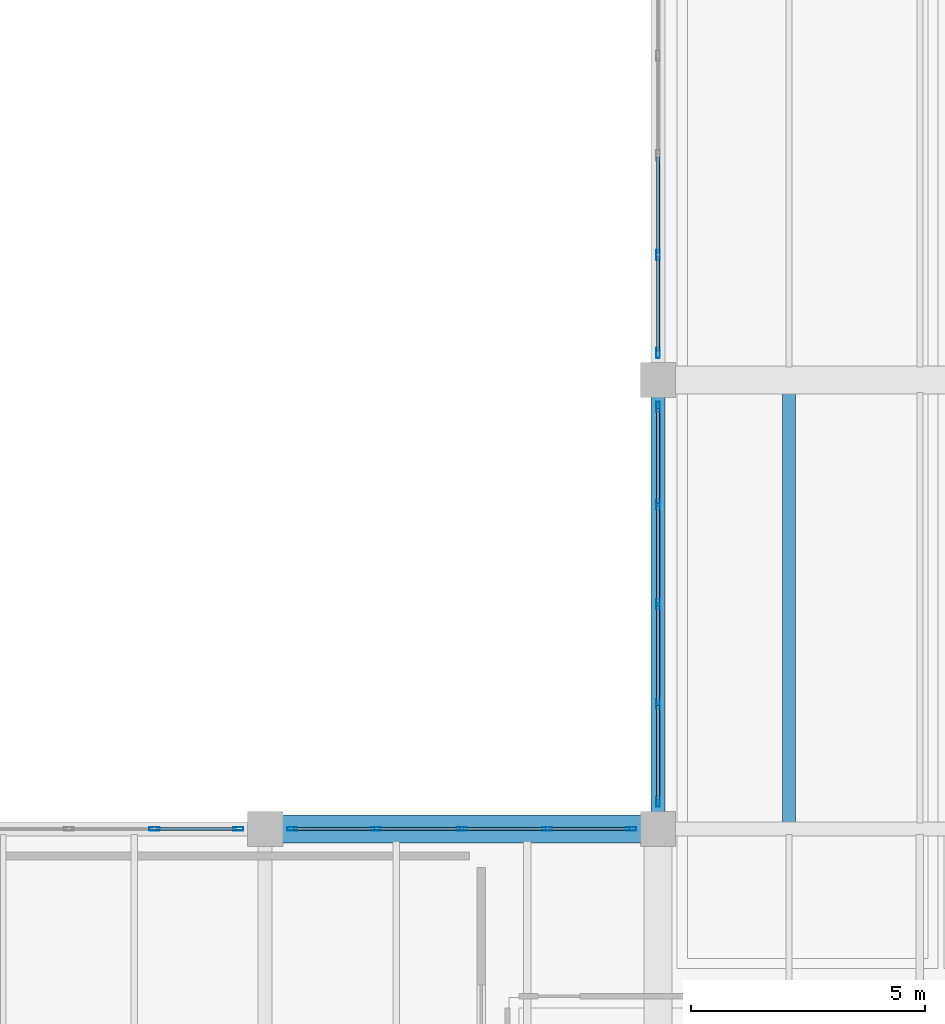
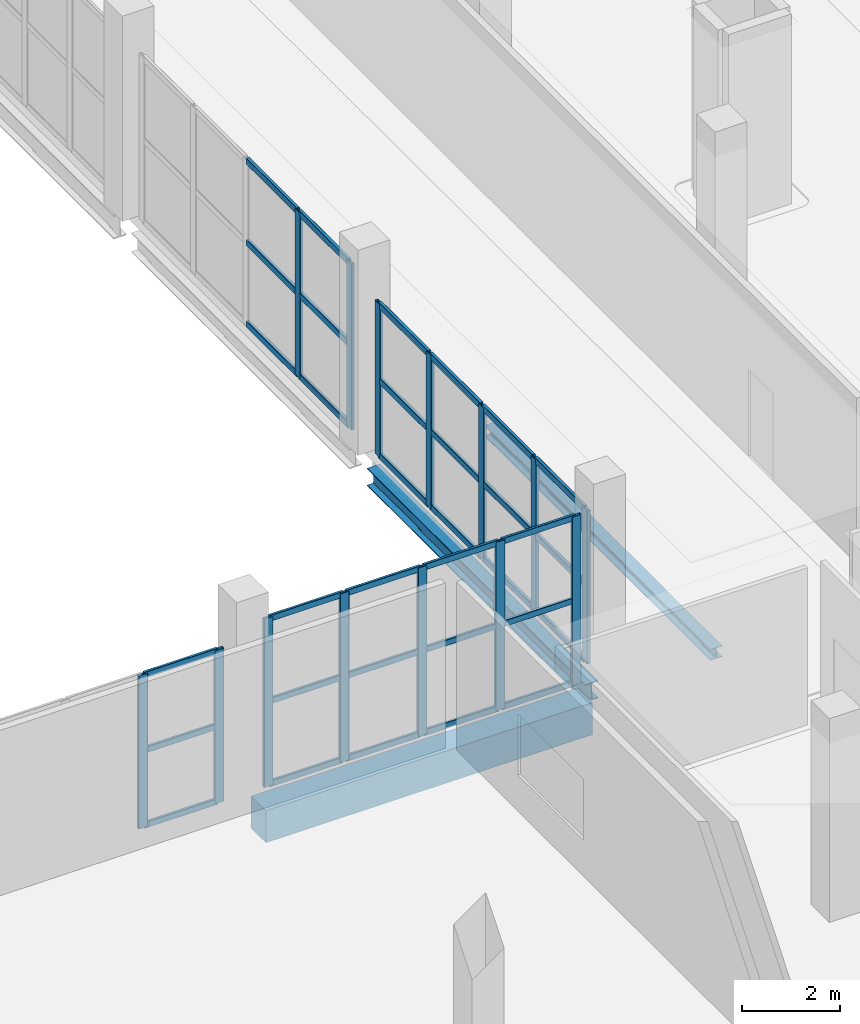
# One storey, part 40 of 77: 47 members, 3 beams, 4 elements without a shape of their own.
"""IFC4 building model written with IfcOpenShell, lengths in metres."""

from ifc_helpers import new_model, si_unit, direction, frame, origin, origin_2d, place, context, subcontext, project, spatial, rectangle, hollow_rectangle, i_section, extrude, material, layer, layer_set, material_profile, profile_set, type_object, element, aggregate, save


model = new_model("IFC4")

# Units and contexts
model_context = context("Model", 3, precision=1e-05, world=origin(), true_north=direction((0.0, 1.0)))
body_context = subcontext(model_context, "Body", "Model", "MODEL_VIEW")
ifc_project = project(units=[si_unit("LENGTHUNIT", "METRE"), si_unit("AREAUNIT", "SQUARE_METRE"), si_unit("VOLUMEUNIT", "CUBIC_METRE"), si_unit("PLANEANGLEUNIT", "RADIAN"), si_unit("MASSUNIT", "GRAM", prefix="KILO")], contexts=[model_context])

# Site, building, storey
site_placement = place(None, origin())
site = spatial("IfcSite", under=ifc_project, at=site_placement, CompositionType="ELEMENT")
building_placement = place(site_placement, origin())
building = spatial("IfcBuilding", under=site, at=building_placement, Name="Zulmaris Art Gallery", CompositionType="ELEMENT")
storey_placement = place(building_placement, frame((0.0, 0.0, 15.60009765625)))
storey = spatial("IfcBuildingStorey", under=building, at=storey_placement, Name="L03", CompositionType="ELEMENT", Elevation=15.60009765625)

# Beams
ifc_material_1 = material(Name="Steel S355J2", Category="steel")
ifc_material_profile_1 = material_profile(ifc_material_1, i_section(OverallWidth=0.300048828125, OverallDepth=0.43994140625, WebThickness=0.011474609375, FlangeThickness=0.02099609375, FilletRadius=0.027099609375, at=origin_2d()), Name="HEA 450")
ifc_profile_set_1 = profile_set([ifc_material_profile_1], Name="Steel S355J2")
beam_type_1 = type_object("IfcBeamType", Name="BEAM-BM10", PredefinedType="BEAM", material=ifc_profile_set_1)
beam_1_placement = place(storey_placement, frame((183.60009765625, 31.56005859375, -0.6201171875), z_axis=(0.0, 1.0, 0.0), x_axis=(-1.0, 0.0, 0.0)))
element("IfcBeam", 1, at=beam_1_placement, inside=storey, type_object=beam_type_1, Name="L03 Y-girder (x=183.6, 31.2..40.8)", PredefinedType="BEAM", context=body_context, shape_type="SweptSolid", body=[
    extrude(i_section(OverallWidth=0.300048828125, OverallDepth=0.43994140625, WebThickness=0.011474609375, FlangeThickness=0.02099609375, FilletRadius=0.027099609375, at=origin_2d()), origin(), (0.0, 0.0, 1.0), 8.8798828125),
])
ifc_material_2 = material(Name="Concrete C40/50", Category="concrete")
ifc_material_profile_2 = material_profile(ifc_material_2, rectangle(XDim=0.60009765625, YDim=0.800048828125, at=origin_2d()), Name="RC 600x800")
ifc_profile_set_2 = profile_set([ifc_material_profile_2], Name="Concrete C40/50")
beam_type_2 = type_object("IfcBeamType", Name="BEAM-BM27", PredefinedType="BEAM", material=ifc_profile_set_2)
beam_2_placement = place(storey_placement, frame((175.56005859375, 31.199951171875, -0.77001953125), z_axis=(1.0, 0.0, 0.0), x_axis=(0.0, 1.0, 0.0)))
element("IfcBeam", 2, at=beam_2_placement, inside=storey, type_object=beam_type_2, Name="L03 X-girder (175.2..183.6, y=31.2)", PredefinedType="BEAM", context=body_context, shape_type="SweptSolid", body=[
    extrude(rectangle(XDim=0.60009765625, YDim=0.800048828125, at=origin_2d()), origin(), (0.0, 0.0, 1.0), 7.679931640625),
])
ifc_material_profile_3 = material_profile(ifc_material_1, i_section(OverallWidth=0.280029296875, OverallDepth=0.27001953125, WebThickness=0.008056640625, FlangeThickness=0.012939453125, FilletRadius=0.02392578125, at=origin_2d()), Name="HEA 280")
ifc_profile_set_3 = profile_set([ifc_material_profile_3], Name="Steel S355J2")
beam_type_3 = type_object("IfcBeamType", Name="BEAM-JS04", PredefinedType="JOIST", material=ifc_profile_set_3)
beam_3_placement = place(storey_placement, frame((186.39990234375, 31.324951171875, -0.505126953125), z_axis=(0.0, 1.0, 0.0), x_axis=(-1.0, 0.0, 0.0)))
element("IfcBeam", 3, at=beam_3_placement, inside=storey, type_object=beam_type_3, Name="L03 secondary joist at x=186.4", PredefinedType="JOIST", context=body_context, shape_type="SweptSolid", body=[
    extrude(i_section(OverallWidth=0.280029296875, OverallDepth=0.27001953125, WebThickness=0.008056640625, FlangeThickness=0.012939453125, FilletRadius=0.02392578125, at=origin_2d()), origin(), (0.0, 0.0, 1.0), 9.199951171875),
])

# Curtain wall, members
ifc_material_3 = material(Name="Courtyard Artists Studio Curtain Wall", Category="aluminium")
ifc_layer = layer(ifc_material_3, 0.179931640625)
ifc_layer_set = layer_set([ifc_layer], Name="Courtyard Artists Studio Curtain Wall")
curtain_wall_type = type_object("IfcCurtainWallType", Name="CW-CW04", PredefinedType="NOTDEFINED", material=ifc_layer_set)
curtain_wall_1_placement = place(storey_placement, origin())
curtain_wall_1 = element("IfcCurtainWall", 4, at=curtain_wall_1_placement, inside=storey, type_object=curtain_wall_type, Name="L03 curtain wall 148", PredefinedType="NOTDEFINED")
ifc_material_4 = material(Name="Anodised Bronze Aluminium", Category="aluminium")
ifc_material_profile_4 = material_profile(ifc_material_4, hollow_rectangle(XDim=0.074951171875, YDim=0.219970703125, WallThickness=0.0048828125, InnerFilletRadius=0.007568359375, OuterFilletRadius=0.012451171875, at=origin_2d()), Name="ALU 75x220x5")
ifc_profile_set_4 = profile_set([ifc_material_profile_4], Name="Anodised Bronze Aluminium")
member_type_1 = type_object("IfcMemberType", Name="CWMUL-02", PredefinedType="MULLION", material=ifc_profile_set_4)
member_1_placement = place(storey_placement, frame((183.60009765625, 40.222412109375, 0.0), z_axis=(0.0, 0.0, 1.0), x_axis=(1.0, 0.0, 0.0)))
member_1 = element("IfcMember", 5, at=member_1_placement, type_object=member_type_1, Name="CW04 mullion 1", PredefinedType="MULLION", context=body_context, shape_type="SweptSolid", body=[
    extrude(hollow_rectangle(XDim=0.074951171875, YDim=0.219970703125, WallThickness=0.0048828125, InnerFilletRadius=0.007568359375, OuterFilletRadius=0.012451171875, at=origin_2d()), origin(), (0.0, 0.0, 1.0), 3.809814453125),
])
member_2_placement = place(storey_placement, frame((183.60009765625, 38.1298828125, 0.0), z_axis=(0.0, 0.0, 1.0), x_axis=(1.0, 0.0, 0.0)))
member_2 = element("IfcMember", 6, at=member_2_placement, type_object=member_type_1, Name="CW04 mullion 2", PredefinedType="MULLION", context=body_context, shape_type="SweptSolid", body=[
    extrude(hollow_rectangle(XDim=0.074951171875, YDim=0.219970703125, WallThickness=0.0048828125, InnerFilletRadius=0.007568359375, OuterFilletRadius=0.012451171875, at=origin_2d()), origin(), (0.0, 0.0, 1.0), 3.809814453125),
])
member_3_placement = place(storey_placement, frame((183.60009765625, 36.0, 0.0), z_axis=(0.0, 0.0, 1.0), x_axis=(1.0, 0.0, 0.0)))
member_3 = element("IfcMember", 7, at=member_3_placement, type_object=member_type_1, Name="CW04 mullion 3", PredefinedType="MULLION", context=body_context, shape_type="SweptSolid", body=[
    extrude(hollow_rectangle(XDim=0.074951171875, YDim=0.219970703125, WallThickness=0.0048828125, InnerFilletRadius=0.007568359375, OuterFilletRadius=0.012451171875, at=origin_2d()), origin(), (0.0, 0.0, 1.0), 3.809814453125),
])
member_4_placement = place(storey_placement, frame((183.60009765625, 33.8701171875, 0.0), z_axis=(0.0, 0.0, 1.0), x_axis=(1.0, 0.0, 0.0)))
member_4 = element("IfcMember", 8, at=member_4_placement, type_object=member_type_1, Name="CW04 mullion 4", PredefinedType="MULLION", context=body_context, shape_type="SweptSolid", body=[
    extrude(hollow_rectangle(XDim=0.074951171875, YDim=0.219970703125, WallThickness=0.0048828125, InnerFilletRadius=0.007568359375, OuterFilletRadius=0.012451171875, at=origin_2d()), origin(), (0.0, 0.0, 1.0), 3.809814453125),
])
member_5_placement = place(storey_placement, frame((183.60009765625, 31.777587890625, 0.0), z_axis=(0.0, 0.0, 1.0), x_axis=(1.0, 0.0, 0.0)))
member_5 = element("IfcMember", 9, at=member_5_placement, type_object=member_type_1, Name="CW04 mullion 5", PredefinedType="MULLION", context=body_context, shape_type="SweptSolid", body=[
    extrude(hollow_rectangle(XDim=0.074951171875, YDim=0.219970703125, WallThickness=0.0048828125, InnerFilletRadius=0.007568359375, OuterFilletRadius=0.012451171875, at=origin_2d()), origin(), (0.0, 0.0, 1.0), 3.809814453125),
])

curtain_wall_2_placement = place(storey_placement, origin())
curtain_wall_2 = element("IfcCurtainWall", 10, at=curtain_wall_2_placement, inside=storey, type_object=curtain_wall_type, Name="L03 curtain wall 150", PredefinedType="NOTDEFINED")
member_6_placement = place(storey_placement, frame((183.60009765625, 43.469970703125, 0.0), z_axis=(0.0, 0.0, 1.0), x_axis=(1.0, 0.0, 0.0)))
member_6 = element("IfcMember", 11, at=member_6_placement, type_object=member_type_1, Name="CW04 mullion 4", PredefinedType="MULLION", context=body_context, shape_type="SweptSolid", body=[
    extrude(hollow_rectangle(XDim=0.074951171875, YDim=0.219970703125, WallThickness=0.0048828125, InnerFilletRadius=0.007568359375, OuterFilletRadius=0.012451171875, at=origin_2d()), origin(), (0.0, 0.0, 1.0), 4.119873046875),
])
member_7_placement = place(storey_placement, frame((183.60009765625, 41.37744140625, 0.0), z_axis=(0.0, 0.0, 1.0), x_axis=(1.0, 0.0, 0.0)))
member_7 = element("IfcMember", 12, at=member_7_placement, type_object=member_type_1, Name="CW04 mullion 5", PredefinedType="MULLION", context=body_context, shape_type="SweptSolid", body=[
    extrude(hollow_rectangle(XDim=0.074951171875, YDim=0.219970703125, WallThickness=0.0048828125, InnerFilletRadius=0.007568359375, OuterFilletRadius=0.012451171875, at=origin_2d()), origin(), (0.0, 0.0, 1.0), 4.119873046875),
])

curtain_wall_3_placement = place(storey_placement, origin())
curtain_wall_3 = element("IfcCurtainWall", 13, at=curtain_wall_3_placement, inside=storey, type_object=curtain_wall_type, Name="L03 curtain wall 156", PredefinedType="NOTDEFINED")
member_8_placement = place(storey_placement, frame((172.830078125, 31.199951171875, 0.0), z_axis=(0.0, 0.0, 1.0), x_axis=(0.0, 1.0, 0.0)))
member_8 = element("IfcMember", 14, at=member_8_placement, type_object=member_type_1, Name="CW04 mullion 4", PredefinedType="MULLION", context=body_context, shape_type="SweptSolid", body=[
    extrude(hollow_rectangle(XDim=0.074951171875, YDim=0.219970703125, WallThickness=0.0048828125, InnerFilletRadius=0.007568359375, OuterFilletRadius=0.012451171875, at=origin_2d()), origin(), (0.0, 0.0, 1.0), 3.809814453125),
])
member_9_placement = place(storey_placement, frame((174.62255859375, 31.199951171875, 0.0), z_axis=(0.0, 0.0, 1.0), x_axis=(0.0, 1.0, 0.0)))
member_9 = element("IfcMember", 15, at=member_9_placement, type_object=member_type_1, Name="CW04 mullion 5", PredefinedType="MULLION", context=body_context, shape_type="SweptSolid", body=[
    extrude(hollow_rectangle(XDim=0.074951171875, YDim=0.219970703125, WallThickness=0.0048828125, InnerFilletRadius=0.007568359375, OuterFilletRadius=0.012451171875, at=origin_2d()), origin(), (0.0, 0.0, 1.0), 3.809814453125),
])

curtain_wall_4_placement = place(storey_placement, origin())
curtain_wall_4 = element("IfcCurtainWall", 16, at=curtain_wall_4_placement, inside=storey, type_object=curtain_wall_type, Name="L03 curtain wall 158", PredefinedType="NOTDEFINED")
member_10_placement = place(storey_placement, frame((175.777587890625, 31.199951171875, 0.0), z_axis=(0.0, 0.0, 1.0), x_axis=(0.0, 1.0, 0.0)))
member_10 = element("IfcMember", 17, at=member_10_placement, type_object=member_type_1, Name="CW04 mullion 1", PredefinedType="MULLION", context=body_context, shape_type="SweptSolid", body=[
    extrude(hollow_rectangle(XDim=0.074951171875, YDim=0.219970703125, WallThickness=0.0048828125, InnerFilletRadius=0.007568359375, OuterFilletRadius=0.012451171875, at=origin_2d()), origin(), (0.0, 0.0, 1.0), 4.18994140625),
])
member_11_placement = place(storey_placement, frame((177.570068359375, 31.199951171875, 0.0), z_axis=(0.0, 0.0, 1.0), x_axis=(0.0, 1.0, 0.0)))
member_11 = element("IfcMember", 18, at=member_11_placement, type_object=member_type_1, Name="CW04 mullion 2", PredefinedType="MULLION", context=body_context, shape_type="SweptSolid", body=[
    extrude(hollow_rectangle(XDim=0.074951171875, YDim=0.219970703125, WallThickness=0.0048828125, InnerFilletRadius=0.007568359375, OuterFilletRadius=0.012451171875, at=origin_2d()), origin(), (0.0, 0.0, 1.0), 4.18994140625),
])
member_12_placement = place(storey_placement, frame((179.39990234375, 31.199951171875, 0.0), z_axis=(0.0, 0.0, 1.0), x_axis=(0.0, 1.0, 0.0)))
member_12 = element("IfcMember", 19, at=member_12_placement, type_object=member_type_1, Name="CW04 mullion 3", PredefinedType="MULLION", context=body_context, shape_type="SweptSolid", body=[
    extrude(hollow_rectangle(XDim=0.074951171875, YDim=0.219970703125, WallThickness=0.0048828125, InnerFilletRadius=0.007568359375, OuterFilletRadius=0.012451171875, at=origin_2d()), origin(), (0.0, 0.0, 1.0), 4.18994140625),
])
member_13_placement = place(storey_placement, frame((181.22998046875, 31.199951171875, 0.0), z_axis=(0.0, 0.0, 1.0), x_axis=(0.0, 1.0, 0.0)))
member_13 = element("IfcMember", 20, at=member_13_placement, type_object=member_type_1, Name="CW04 mullion 4", PredefinedType="MULLION", context=body_context, shape_type="SweptSolid", body=[
    extrude(hollow_rectangle(XDim=0.074951171875, YDim=0.219970703125, WallThickness=0.0048828125, InnerFilletRadius=0.007568359375, OuterFilletRadius=0.012451171875, at=origin_2d()), origin(), (0.0, 0.0, 1.0), 4.18994140625),
])
member_14_placement = place(storey_placement, frame((183.0224609375, 31.199951171875, 0.0), z_axis=(0.0, 0.0, 1.0), x_axis=(0.0, 1.0, 0.0)))
member_14 = element("IfcMember", 21, at=member_14_placement, type_object=member_type_1, Name="CW04 mullion 5", PredefinedType="MULLION", context=body_context, shape_type="SweptSolid", body=[
    extrude(hollow_rectangle(XDim=0.074951171875, YDim=0.219970703125, WallThickness=0.0048828125, InnerFilletRadius=0.007568359375, OuterFilletRadius=0.012451171875, at=origin_2d()), origin(), (0.0, 0.0, 1.0), 4.18994140625),
])

# Member
ifc_material_profile_5 = material_profile(ifc_material_4, hollow_rectangle(XDim=0.06494140625, YDim=0.14990234375, WallThickness=0.00390625, InnerFilletRadius=0.006103515625, OuterFilletRadius=0.010009765625, at=origin_2d()), Name="ALU 65x150x4")
ifc_profile_set_5 = profile_set([ifc_material_profile_5], Name="Anodised Bronze Aluminium")
member_type_2 = type_object("IfcMemberType", Name="CWTRN-01", PredefinedType="USERDEFINED", material=ifc_profile_set_5)
member_15_placement = place(storey_placement, frame((172.867431640625, 31.199951171875, 0.037353515625), z_axis=(1.0, 0.0, 0.0), x_axis=(0.0, 1.0, 0.0)))
member_15 = element("IfcMember", 22, at=member_15_placement, type_object=member_type_2, Name="CW04 transom 4.1", ObjectType="TRANSOM", PredefinedType="USERDEFINED", context=body_context, shape_type="SweptSolid", body=[
    extrude(hollow_rectangle(XDim=0.06494140625, YDim=0.14990234375, WallThickness=0.00390625, InnerFilletRadius=0.006103515625, OuterFilletRadius=0.010009765625, at=origin_2d()), origin(), (0.0, 0.0, 1.0), 1.717529296875),
])

member_16_placement = place(storey_placement, frame((172.867431640625, 31.199951171875, 1.90478515625), z_axis=(1.0, 0.0, 0.0), x_axis=(0.0, 1.0, 0.0)))
member_16 = element("IfcMember", 23, at=member_16_placement, type_object=member_type_2, Name="CW04 transom 4.2", ObjectType="TRANSOM", PredefinedType="USERDEFINED", context=body_context, shape_type="SweptSolid", body=[
    extrude(hollow_rectangle(XDim=0.06494140625, YDim=0.14990234375, WallThickness=0.00390625, InnerFilletRadius=0.006103515625, OuterFilletRadius=0.010009765625, at=origin_2d()), origin(), (0.0, 0.0, 1.0), 1.717529296875),
])

member_17_placement = place(storey_placement, frame((172.867431640625, 31.199951171875, 3.7724609375), z_axis=(1.0, 0.0, 0.0), x_axis=(0.0, 1.0, 0.0)))
member_17 = element("IfcMember", 24, at=member_17_placement, type_object=member_type_2, Name="CW04 transom 4.3", ObjectType="TRANSOM", PredefinedType="USERDEFINED", context=body_context, shape_type="SweptSolid", body=[
    extrude(hollow_rectangle(XDim=0.06494140625, YDim=0.14990234375, WallThickness=0.00390625, InnerFilletRadius=0.006103515625, OuterFilletRadius=0.010009765625, at=origin_2d()), origin(), (0.0, 0.0, 1.0), 1.717529296875),
])

aggregate(curtain_wall_3, [member_8, member_9, member_15, member_16, member_17])

member_18_placement = place(storey_placement, frame((175.81494140625, 31.199951171875, 0.037353515625), z_axis=(1.0, 0.0, 0.0), x_axis=(0.0, 1.0, 0.0)))
member_18 = element("IfcMember", 25, at=member_18_placement, type_object=member_type_2, Name="CW04 transom 1.1", ObjectType="TRANSOM", PredefinedType="USERDEFINED", context=body_context, shape_type="SweptSolid", body=[
    extrude(hollow_rectangle(XDim=0.06494140625, YDim=0.14990234375, WallThickness=0.00390625, InnerFilletRadius=0.006103515625, OuterFilletRadius=0.010009765625, at=origin_2d()), origin(), (0.0, 0.0, 1.0), 1.717529296875),
])

member_19_placement = place(storey_placement, frame((175.81494140625, 31.199951171875, 2.094970703125), z_axis=(1.0, 0.0, 0.0), x_axis=(0.0, 1.0, 0.0)))
member_19 = element("IfcMember", 26, at=member_19_placement, type_object=member_type_2, Name="CW04 transom 1.2", ObjectType="TRANSOM", PredefinedType="USERDEFINED", context=body_context, shape_type="SweptSolid", body=[
    extrude(hollow_rectangle(XDim=0.06494140625, YDim=0.14990234375, WallThickness=0.00390625, InnerFilletRadius=0.006103515625, OuterFilletRadius=0.010009765625, at=origin_2d()), origin(), (0.0, 0.0, 1.0), 1.717529296875),
])

member_20_placement = place(storey_placement, frame((175.81494140625, 31.199951171875, 4.15234375), z_axis=(1.0, 0.0, 0.0), x_axis=(0.0, 1.0, 0.0)))
member_20 = element("IfcMember", 27, at=member_20_placement, type_object=member_type_2, Name="CW04 transom 1.3", ObjectType="TRANSOM", PredefinedType="USERDEFINED", context=body_context, shape_type="SweptSolid", body=[
    extrude(hollow_rectangle(XDim=0.06494140625, YDim=0.14990234375, WallThickness=0.00390625, InnerFilletRadius=0.006103515625, OuterFilletRadius=0.010009765625, at=origin_2d()), origin(), (0.0, 0.0, 1.0), 1.717529296875),
])

member_21_placement = place(storey_placement, frame((177.607421875, 31.199951171875, 0.037353515625), z_axis=(1.0, 0.0, 0.0), x_axis=(0.0, 1.0, 0.0)))
member_21 = element("IfcMember", 28, at=member_21_placement, type_object=member_type_2, Name="CW04 transom 2.1", ObjectType="TRANSOM", PredefinedType="USERDEFINED", context=body_context, shape_type="SweptSolid", body=[
    extrude(hollow_rectangle(XDim=0.06494140625, YDim=0.14990234375, WallThickness=0.00390625, InnerFilletRadius=0.006103515625, OuterFilletRadius=0.010009765625, at=origin_2d()), origin(), (0.0, 0.0, 1.0), 1.755126953125),
])

member_22_placement = place(storey_placement, frame((177.607421875, 31.199951171875, 2.094970703125), z_axis=(1.0, 0.0, 0.0), x_axis=(0.0, 1.0, 0.0)))
member_22 = element("IfcMember", 29, at=member_22_placement, type_object=member_type_2, Name="CW04 transom 2.2", ObjectType="TRANSOM", PredefinedType="USERDEFINED", context=body_context, shape_type="SweptSolid", body=[
    extrude(hollow_rectangle(XDim=0.06494140625, YDim=0.14990234375, WallThickness=0.00390625, InnerFilletRadius=0.006103515625, OuterFilletRadius=0.010009765625, at=origin_2d()), origin(), (0.0, 0.0, 1.0), 1.755126953125),
])

member_23_placement = place(storey_placement, frame((177.607421875, 31.199951171875, 4.15234375), z_axis=(1.0, 0.0, 0.0), x_axis=(0.0, 1.0, 0.0)))
member_23 = element("IfcMember", 30, at=member_23_placement, type_object=member_type_2, Name="CW04 transom 2.3", ObjectType="TRANSOM", PredefinedType="USERDEFINED", context=body_context, shape_type="SweptSolid", body=[
    extrude(hollow_rectangle(XDim=0.06494140625, YDim=0.14990234375, WallThickness=0.00390625, InnerFilletRadius=0.006103515625, OuterFilletRadius=0.010009765625, at=origin_2d()), origin(), (0.0, 0.0, 1.0), 1.755126953125),
])

member_24_placement = place(storey_placement, frame((179.4375, 31.199951171875, 0.037353515625), z_axis=(1.0, 0.0, 0.0), x_axis=(0.0, 1.0, 0.0)))
member_24 = element("IfcMember", 31, at=member_24_placement, type_object=member_type_2, Name="CW04 transom 3.1", ObjectType="TRANSOM", PredefinedType="USERDEFINED", context=body_context, shape_type="SweptSolid", body=[
    extrude(hollow_rectangle(XDim=0.06494140625, YDim=0.14990234375, WallThickness=0.00390625, InnerFilletRadius=0.006103515625, OuterFilletRadius=0.010009765625, at=origin_2d()), origin(), (0.0, 0.0, 1.0), 1.7548828125),
])

member_25_placement = place(storey_placement, frame((179.4375, 31.199951171875, 2.094970703125), z_axis=(1.0, 0.0, 0.0), x_axis=(0.0, 1.0, 0.0)))
member_25 = element("IfcMember", 32, at=member_25_placement, type_object=member_type_2, Name="CW04 transom 3.2", ObjectType="TRANSOM", PredefinedType="USERDEFINED", context=body_context, shape_type="SweptSolid", body=[
    extrude(hollow_rectangle(XDim=0.06494140625, YDim=0.14990234375, WallThickness=0.00390625, InnerFilletRadius=0.006103515625, OuterFilletRadius=0.010009765625, at=origin_2d()), origin(), (0.0, 0.0, 1.0), 1.7548828125),
])

member_26_placement = place(storey_placement, frame((179.4375, 31.199951171875, 4.15234375), z_axis=(1.0, 0.0, 0.0), x_axis=(0.0, 1.0, 0.0)))
member_26 = element("IfcMember", 33, at=member_26_placement, type_object=member_type_2, Name="CW04 transom 3.3", ObjectType="TRANSOM", PredefinedType="USERDEFINED", context=body_context, shape_type="SweptSolid", body=[
    extrude(hollow_rectangle(XDim=0.06494140625, YDim=0.14990234375, WallThickness=0.00390625, InnerFilletRadius=0.006103515625, OuterFilletRadius=0.010009765625, at=origin_2d()), origin(), (0.0, 0.0, 1.0), 1.7548828125),
])

member_27_placement = place(storey_placement, frame((181.267578125, 31.199951171875, 0.037353515625), z_axis=(1.0, 0.0, 0.0), x_axis=(0.0, 1.0, 0.0)))
member_27 = element("IfcMember", 34, at=member_27_placement, type_object=member_type_2, Name="CW04 transom 4.1", ObjectType="TRANSOM", PredefinedType="USERDEFINED", context=body_context, shape_type="SweptSolid", body=[
    extrude(hollow_rectangle(XDim=0.06494140625, YDim=0.14990234375, WallThickness=0.00390625, InnerFilletRadius=0.006103515625, OuterFilletRadius=0.010009765625, at=origin_2d()), origin(), (0.0, 0.0, 1.0), 1.717529296875),
])

member_28_placement = place(storey_placement, frame((181.267578125, 31.199951171875, 2.094970703125), z_axis=(1.0, 0.0, 0.0), x_axis=(0.0, 1.0, 0.0)))
member_28 = element("IfcMember", 35, at=member_28_placement, type_object=member_type_2, Name="CW04 transom 4.2", ObjectType="TRANSOM", PredefinedType="USERDEFINED", context=body_context, shape_type="SweptSolid", body=[
    extrude(hollow_rectangle(XDim=0.06494140625, YDim=0.14990234375, WallThickness=0.00390625, InnerFilletRadius=0.006103515625, OuterFilletRadius=0.010009765625, at=origin_2d()), origin(), (0.0, 0.0, 1.0), 1.717529296875),
])

member_29_placement = place(storey_placement, frame((181.267578125, 31.199951171875, 4.15234375), z_axis=(1.0, 0.0, 0.0), x_axis=(0.0, 1.0, 0.0)))
member_29 = element("IfcMember", 36, at=member_29_placement, type_object=member_type_2, Name="CW04 transom 4.3", ObjectType="TRANSOM", PredefinedType="USERDEFINED", context=body_context, shape_type="SweptSolid", body=[
    extrude(hollow_rectangle(XDim=0.06494140625, YDim=0.14990234375, WallThickness=0.00390625, InnerFilletRadius=0.006103515625, OuterFilletRadius=0.010009765625, at=origin_2d()), origin(), (0.0, 0.0, 1.0), 1.717529296875),
])

aggregate(curtain_wall_4, [member_10, member_11, member_12, member_13, member_14, member_18, member_19, member_20, member_21, member_22, member_23, member_24, member_25, member_26, member_27, member_28, member_29])

ifc_material_profile_6 = material_profile(ifc_material_4, hollow_rectangle(XDim=0.074951171875, YDim=0.159912109375, WallThickness=0.00390625, InnerFilletRadius=0.006103515625, OuterFilletRadius=0.010009765625, at=origin_2d()), Name="ALU 75x160x4")
ifc_profile_set_6 = profile_set([ifc_material_profile_6], Name="Anodised Bronze Aluminium")
member_type_3 = type_object("IfcMemberType", Name="CWTRN-02", PredefinedType="USERDEFINED", material=ifc_profile_set_6)
member_30_placement = place(storey_placement, frame((183.60009765625, 40.18505859375, 0.037353515625), z_axis=(0.0, -1.0, 0.0), x_axis=(1.0, 0.0, 0.0)))
member_30 = element("IfcMember", 37, at=member_30_placement, type_object=member_type_3, Name="CW04 transom 1.1", ObjectType="TRANSOM", PredefinedType="USERDEFINED", context=body_context, shape_type="SweptSolid", body=[
    extrude(hollow_rectangle(XDim=0.074951171875, YDim=0.159912109375, WallThickness=0.00390625, InnerFilletRadius=0.006103515625, OuterFilletRadius=0.010009765625, at=origin_2d()), origin(), (0.0, 0.0, 1.0), 2.017578125),
])

member_31_placement = place(storey_placement, frame((183.60009765625, 40.18505859375, 1.90478515625), z_axis=(0.0, -1.0, 0.0), x_axis=(1.0, 0.0, 0.0)))
member_31 = element("IfcMember", 38, at=member_31_placement, type_object=member_type_3, Name="CW04 transom 1.2", ObjectType="TRANSOM", PredefinedType="USERDEFINED", context=body_context, shape_type="SweptSolid", body=[
    extrude(hollow_rectangle(XDim=0.074951171875, YDim=0.159912109375, WallThickness=0.00390625, InnerFilletRadius=0.006103515625, OuterFilletRadius=0.010009765625, at=origin_2d()), origin(), (0.0, 0.0, 1.0), 2.017578125),
])

member_32_placement = place(storey_placement, frame((183.60009765625, 40.18505859375, 3.7724609375), z_axis=(0.0, -1.0, 0.0), x_axis=(1.0, 0.0, 0.0)))
member_32 = element("IfcMember", 39, at=member_32_placement, type_object=member_type_3, Name="CW04 transom 1.3", ObjectType="TRANSOM", PredefinedType="USERDEFINED", context=body_context, shape_type="SweptSolid", body=[
    extrude(hollow_rectangle(XDim=0.074951171875, YDim=0.159912109375, WallThickness=0.00390625, InnerFilletRadius=0.006103515625, OuterFilletRadius=0.010009765625, at=origin_2d()), origin(), (0.0, 0.0, 1.0), 2.017578125),
])

member_33_placement = place(storey_placement, frame((183.60009765625, 38.092529296875, 0.037353515625), z_axis=(0.0, -1.0, 0.0), x_axis=(1.0, 0.0, 0.0)))
member_33 = element("IfcMember", 40, at=member_33_placement, type_object=member_type_3, Name="CW04 transom 2.1", ObjectType="TRANSOM", PredefinedType="USERDEFINED", context=body_context, shape_type="SweptSolid", body=[
    extrude(hollow_rectangle(XDim=0.074951171875, YDim=0.159912109375, WallThickness=0.00390625, InnerFilletRadius=0.006103515625, OuterFilletRadius=0.010009765625, at=origin_2d()), origin(), (0.0, 0.0, 1.0), 2.054931640625),
])

member_34_placement = place(storey_placement, frame((183.60009765625, 38.092529296875, 1.90478515625), z_axis=(0.0, -1.0, 0.0), x_axis=(1.0, 0.0, 0.0)))
member_34 = element("IfcMember", 41, at=member_34_placement, type_object=member_type_3, Name="CW04 transom 2.2", ObjectType="TRANSOM", PredefinedType="USERDEFINED", context=body_context, shape_type="SweptSolid", body=[
    extrude(hollow_rectangle(XDim=0.074951171875, YDim=0.159912109375, WallThickness=0.00390625, InnerFilletRadius=0.006103515625, OuterFilletRadius=0.010009765625, at=origin_2d()), origin(), (0.0, 0.0, 1.0), 2.054931640625),
])

member_35_placement = place(storey_placement, frame((183.60009765625, 38.092529296875, 3.7724609375), z_axis=(0.0, -1.0, 0.0), x_axis=(1.0, 0.0, 0.0)))
member_35 = element("IfcMember", 42, at=member_35_placement, type_object=member_type_3, Name="CW04 transom 2.3", ObjectType="TRANSOM", PredefinedType="USERDEFINED", context=body_context, shape_type="SweptSolid", body=[
    extrude(hollow_rectangle(XDim=0.074951171875, YDim=0.159912109375, WallThickness=0.00390625, InnerFilletRadius=0.006103515625, OuterFilletRadius=0.010009765625, at=origin_2d()), origin(), (0.0, 0.0, 1.0), 2.054931640625),
])

member_36_placement = place(storey_placement, frame((183.60009765625, 35.96240234375, 0.037353515625), z_axis=(0.0, -1.0, 0.0), x_axis=(1.0, 0.0, 0.0)))
member_36 = element("IfcMember", 43, at=member_36_placement, type_object=member_type_3, Name="CW04 transom 3.1", ObjectType="TRANSOM", PredefinedType="USERDEFINED", context=body_context, shape_type="SweptSolid", body=[
    extrude(hollow_rectangle(XDim=0.074951171875, YDim=0.159912109375, WallThickness=0.00390625, InnerFilletRadius=0.006103515625, OuterFilletRadius=0.010009765625, at=origin_2d()), origin(), (0.0, 0.0, 1.0), 2.054931640625),
])

member_37_placement = place(storey_placement, frame((183.60009765625, 35.96240234375, 1.90478515625), z_axis=(0.0, -1.0, 0.0), x_axis=(1.0, 0.0, 0.0)))
member_37 = element("IfcMember", 44, at=member_37_placement, type_object=member_type_3, Name="CW04 transom 3.2", ObjectType="TRANSOM", PredefinedType="USERDEFINED", context=body_context, shape_type="SweptSolid", body=[
    extrude(hollow_rectangle(XDim=0.074951171875, YDim=0.159912109375, WallThickness=0.00390625, InnerFilletRadius=0.006103515625, OuterFilletRadius=0.010009765625, at=origin_2d()), origin(), (0.0, 0.0, 1.0), 2.054931640625),
])

member_38_placement = place(storey_placement, frame((183.60009765625, 35.96240234375, 3.7724609375), z_axis=(0.0, -1.0, 0.0), x_axis=(1.0, 0.0, 0.0)))
member_38 = element("IfcMember", 45, at=member_38_placement, type_object=member_type_3, Name="CW04 transom 3.3", ObjectType="TRANSOM", PredefinedType="USERDEFINED", context=body_context, shape_type="SweptSolid", body=[
    extrude(hollow_rectangle(XDim=0.074951171875, YDim=0.159912109375, WallThickness=0.00390625, InnerFilletRadius=0.006103515625, OuterFilletRadius=0.010009765625, at=origin_2d()), origin(), (0.0, 0.0, 1.0), 2.054931640625),
])

member_39_placement = place(storey_placement, frame((183.60009765625, 33.83251953125, 0.037353515625), z_axis=(0.0, -1.0, 0.0), x_axis=(1.0, 0.0, 0.0)))
member_39 = element("IfcMember", 46, at=member_39_placement, type_object=member_type_3, Name="CW04 transom 4.1", ObjectType="TRANSOM", PredefinedType="USERDEFINED", context=body_context, shape_type="SweptSolid", body=[
    extrude(hollow_rectangle(XDim=0.074951171875, YDim=0.159912109375, WallThickness=0.00390625, InnerFilletRadius=0.006103515625, OuterFilletRadius=0.010009765625, at=origin_2d()), origin(), (0.0, 0.0, 1.0), 2.017578125),
])

member_40_placement = place(storey_placement, frame((183.60009765625, 33.83251953125, 1.90478515625), z_axis=(0.0, -1.0, 0.0), x_axis=(1.0, 0.0, 0.0)))
member_40 = element("IfcMember", 47, at=member_40_placement, type_object=member_type_3, Name="CW04 transom 4.2", ObjectType="TRANSOM", PredefinedType="USERDEFINED", context=body_context, shape_type="SweptSolid", body=[
    extrude(hollow_rectangle(XDim=0.074951171875, YDim=0.159912109375, WallThickness=0.00390625, InnerFilletRadius=0.006103515625, OuterFilletRadius=0.010009765625, at=origin_2d()), origin(), (0.0, 0.0, 1.0), 2.017578125),
])

member_41_placement = place(storey_placement, frame((183.60009765625, 33.83251953125, 3.7724609375), z_axis=(0.0, -1.0, 0.0), x_axis=(1.0, 0.0, 0.0)))
member_41 = element("IfcMember", 48, at=member_41_placement, type_object=member_type_3, Name="CW04 transom 4.3", ObjectType="TRANSOM", PredefinedType="USERDEFINED", context=body_context, shape_type="SweptSolid", body=[
    extrude(hollow_rectangle(XDim=0.074951171875, YDim=0.159912109375, WallThickness=0.00390625, InnerFilletRadius=0.006103515625, OuterFilletRadius=0.010009765625, at=origin_2d()), origin(), (0.0, 0.0, 1.0), 2.017578125),
])

aggregate(curtain_wall_1, [member_1, member_2, member_3, member_4, member_5, member_30, member_31, member_32, member_33, member_34, member_35, member_36, member_37, member_38, member_39, member_40, member_41])

member_42_placement = place(storey_placement, frame((183.60009765625, 45.5625, 0.037353515625), z_axis=(0.0, -1.0, 0.0), x_axis=(1.0, 0.0, 0.0)))
member_42 = element("IfcMember", 49, at=member_42_placement, type_object=member_type_3, Name="CW04 transom 3.1", ObjectType="TRANSOM", PredefinedType="USERDEFINED", context=body_context, shape_type="SweptSolid", body=[
    extrude(hollow_rectangle(XDim=0.074951171875, YDim=0.159912109375, WallThickness=0.00390625, InnerFilletRadius=0.006103515625, OuterFilletRadius=0.010009765625, at=origin_2d()), origin(), (0.0, 0.0, 1.0), 2.054931640625),
])

member_43_placement = place(storey_placement, frame((183.60009765625, 45.5625, 2.059814453125), z_axis=(0.0, -1.0, 0.0), x_axis=(1.0, 0.0, 0.0)))
member_43 = element("IfcMember", 50, at=member_43_placement, type_object=member_type_3, Name="CW04 transom 3.2", ObjectType="TRANSOM", PredefinedType="USERDEFINED", context=body_context, shape_type="SweptSolid", body=[
    extrude(hollow_rectangle(XDim=0.074951171875, YDim=0.159912109375, WallThickness=0.00390625, InnerFilletRadius=0.006103515625, OuterFilletRadius=0.010009765625, at=origin_2d()), origin(), (0.0, 0.0, 1.0), 2.054931640625),
])

member_44_placement = place(storey_placement, frame((183.60009765625, 45.5625, 4.08251953125), z_axis=(0.0, -1.0, 0.0), x_axis=(1.0, 0.0, 0.0)))
member_44 = element("IfcMember", 51, at=member_44_placement, type_object=member_type_3, Name="CW04 transom 3.3", ObjectType="TRANSOM", PredefinedType="USERDEFINED", context=body_context, shape_type="SweptSolid", body=[
    extrude(hollow_rectangle(XDim=0.074951171875, YDim=0.159912109375, WallThickness=0.00390625, InnerFilletRadius=0.006103515625, OuterFilletRadius=0.010009765625, at=origin_2d()), origin(), (0.0, 0.0, 1.0), 2.054931640625),
])

member_45_placement = place(storey_placement, frame((183.60009765625, 43.4326171875, 0.037353515625), z_axis=(0.0, -1.0, 0.0), x_axis=(1.0, 0.0, 0.0)))
member_45 = element("IfcMember", 52, at=member_45_placement, type_object=member_type_3, Name="CW04 transom 4.1", ObjectType="TRANSOM", PredefinedType="USERDEFINED", context=body_context, shape_type="SweptSolid", body=[
    extrude(hollow_rectangle(XDim=0.074951171875, YDim=0.159912109375, WallThickness=0.00390625, InnerFilletRadius=0.006103515625, OuterFilletRadius=0.010009765625, at=origin_2d()), origin(), (0.0, 0.0, 1.0), 2.017578125),
])

member_46_placement = place(storey_placement, frame((183.60009765625, 43.4326171875, 2.059814453125), z_axis=(0.0, -1.0, 0.0), x_axis=(1.0, 0.0, 0.0)))
member_46 = element("IfcMember", 53, at=member_46_placement, type_object=member_type_3, Name="CW04 transom 4.2", ObjectType="TRANSOM", PredefinedType="USERDEFINED", context=body_context, shape_type="SweptSolid", body=[
    extrude(hollow_rectangle(XDim=0.074951171875, YDim=0.159912109375, WallThickness=0.00390625, InnerFilletRadius=0.006103515625, OuterFilletRadius=0.010009765625, at=origin_2d()), origin(), (0.0, 0.0, 1.0), 2.017578125),
])

member_47_placement = place(storey_placement, frame((183.60009765625, 43.4326171875, 4.08251953125), z_axis=(0.0, -1.0, 0.0), x_axis=(1.0, 0.0, 0.0)))
member_47 = element("IfcMember", 54, at=member_47_placement, type_object=member_type_3, Name="CW04 transom 4.3", ObjectType="TRANSOM", PredefinedType="USERDEFINED", context=body_context, shape_type="SweptSolid", body=[
    extrude(hollow_rectangle(XDim=0.074951171875, YDim=0.159912109375, WallThickness=0.00390625, InnerFilletRadius=0.006103515625, OuterFilletRadius=0.010009765625, at=origin_2d()), origin(), (0.0, 0.0, 1.0), 2.017578125),
])

aggregate(curtain_wall_2, [member_6, member_7, member_42, member_43, member_44, member_45, member_46, member_47])

save(model, "model.ifc")
